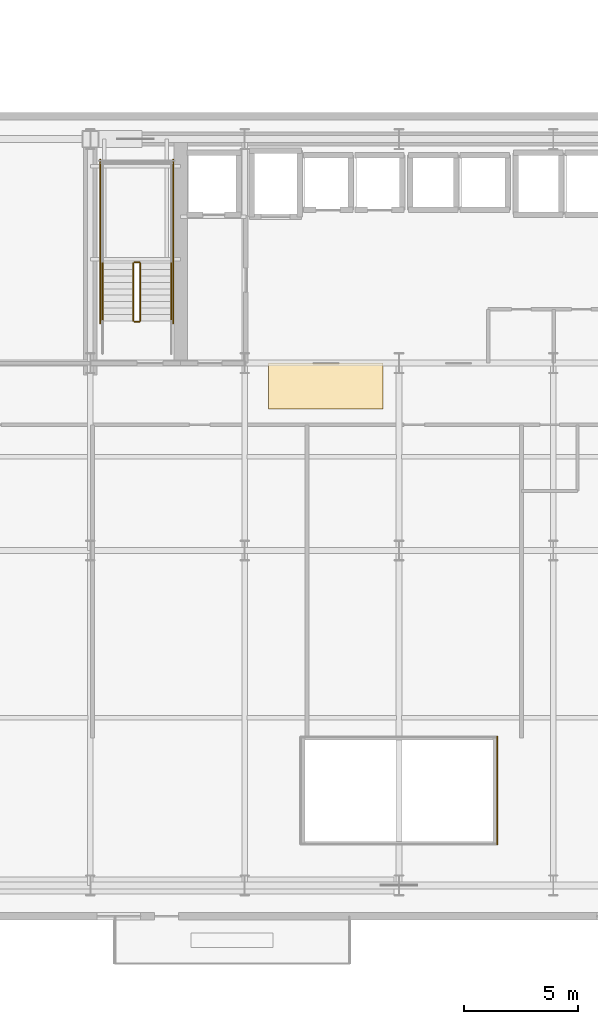
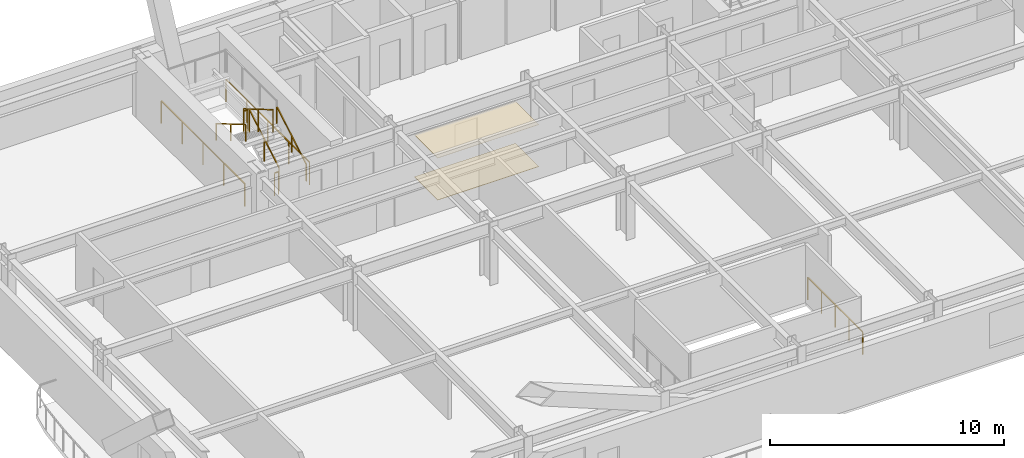
# One storey, part 12 of 17: 9 railings, 2 coverings.
"""IFC4 building model written with IfcOpenShell, lengths in metres."""

from ifc_helpers import new_model, si_unit, direction, frame, origin, origin_2d, place, context, subcontext, project, spatial, polyline, rectangle, outline, extrude, material, layer, layer_set, type_object, element, save


model = new_model("IFC4")

# Units and contexts
model_context = context("Model", 3, precision=1e-05, world=origin(), true_north=direction((0.0, 1.0)))
body_context = subcontext(model_context, "Body", "Model", "MODEL_VIEW")
ifc_project = project(units=[si_unit("LENGTHUNIT", "METRE"), si_unit("AREAUNIT", "SQUARE_METRE"), si_unit("VOLUMEUNIT", "CUBIC_METRE"), si_unit("PLANEANGLEUNIT", "RADIAN"), si_unit("MASSUNIT", "GRAM", prefix="KILO")], contexts=[model_context])

# Site, building, storey
site_placement = place(None, origin())
site = spatial("IfcSite", under=ifc_project, at=site_placement, CompositionType="ELEMENT")
building_placement = place(site_placement, origin())
building = spatial("IfcBuilding", under=site, at=building_placement, Name="Haevon Station Towers", CompositionType="ELEMENT")
storey_placement = place(building_placement, frame((0.0, 0.0, 40.5)))
storey = spatial("IfcBuildingStorey", under=building, at=storey_placement, Name="L09", CompositionType="ELEMENT", Elevation=40.5)

# Railing
ifc_material_1 = material(Name="Steel S355", Category="steel")
railing_type_1 = type_object("IfcRailingType", Name="BAL-ATR1200", PredefinedType="BALUSTRADE", material=ifc_material_1)
railing_1_placement = place(storey_placement, frame((41.80517578125, 17.142333984375, 0.0)))
element("IfcRailing", 1, at=railing_1_placement, inside=storey, type_object=railing_type_1, Name="L09 Atrium Void Balustrade 2", PredefinedType="BALUSTRADE", context=body_context, shape_type="SweptSolid", body=[
    extrude(rectangle(XDim=0.048095703125, YDim=0.048095703125, at=origin_2d()), frame((0.0, 0.0, 1.17578125), z_axis=(0.0, 1.0, 0.0), x_axis=(-1.0, 0.0, 0.0)), (0.0, 0.0, 1.0), 4.71533203125),
    extrude(rectangle(XDim=0.0419921875, YDim=0.0419921875, at=origin_2d()), origin(), (0.0, 0.0, 1.0), 1.15185546875),
    extrude(rectangle(XDim=0.0419921875, YDim=0.0419921875, at=origin_2d()), frame((0.0, 1.1787109375, 0.0)), (0.0, 0.0, 1.0), 1.15185546875),
    extrude(rectangle(XDim=0.0419921875, YDim=0.0419921875, at=origin_2d()), frame((0.0, 2.357666015625, 0.0)), (0.0, 0.0, 1.0), 1.15185546875),
    extrude(rectangle(XDim=0.0419921875, YDim=0.0419921875, at=origin_2d()), frame((0.0, 3.53662109375, 0.0)), (0.0, 0.0, 1.0), 1.15185546875),
    extrude(rectangle(XDim=0.0419921875, YDim=0.0419921875, at=origin_2d()), frame((0.0, 4.71533203125, 0.0)), (0.0, 0.0, 1.0), 1.15185546875),
])

# Coverings
ifc_material_2 = material(Name="Gypsum acoustic ceiling tile", Category="concrete")
ifc_layer_1 = layer(ifc_material_2, 0.014892578125)
ifc_layer_set_1 = layer_set([ifc_layer_1], Name="Gypsum acoustic ceiling tile")
covering_type_1 = type_object("IfcCoveringType", Name="COV-CEIL15", PredefinedType="CEILING", material=ifc_layer_set_1)
covering_1_placement = place(storey_placement, frame((0.0, 0.0, 2.199951171875)))
element("IfcCovering", 2, at=covering_1_placement, inside=storey, type_object=covering_type_1, Name="L09 Acoustic Corridor Ceiling", PredefinedType="CEILING", context=body_context, shape_type="SweptSolid", body=[
    extrude(outline(polyline([(31.800048828125, 36.199951171875), (36.800048828125, 36.199951171875), (36.800048828125, 38.199951171875), (31.800048828125, 38.199951171875), (31.800048828125, 36.199951171875)])), origin(), (0.0, 0.0, 1.0), 0.01513671875),
])
ifc_material_3 = material(Name="Granite stone paving", Category="masonry")
ifc_layer_2 = layer(ifc_material_3, 0.02001953125)
ifc_layer_set_2 = layer_set([ifc_layer_2], Name="Granite stone paving")
covering_type_2 = type_object("IfcCoveringType", Name="COV-FLR20", PredefinedType="FLOORING", material=ifc_layer_set_2)
covering_2_placement = place(storey_placement, origin())
element("IfcCovering", 3, at=covering_2_placement, inside=storey, type_object=covering_type_2, Name="L09 Corridor Stone Flooring", PredefinedType="FLOORING", context=body_context, shape_type="SweptSolid", body=[
    extrude(outline(polyline([(31.800048828125, 36.199951171875), (36.800048828125, 36.199951171875), (36.800048828125, 38.199951171875), (31.800048828125, 38.199951171875), (31.800048828125, 36.199951171875)])), origin(), (0.0, 0.0, 1.0), 0.02001953125),
])

# Railings
railing_type_2 = type_object("IfcRailingType", Name="GRD-STR1200", PredefinedType="GUARDRAIL", material=ifc_material_1)
railing_2_placement = place(storey_placement, frame((26.179931640625, 40.050048828125, 0.1650390625)))
element("IfcRailing", 4, at=railing_2_placement, inside=storey, type_object=railing_type_2, Name="L09 ST1 Stair Guard 1", PredefinedType="GUARDRAIL", context=body_context, shape_type="SweptSolid", body=[
    extrude(rectangle(XDim=0.048095703125, YDim=0.048095703125, at=origin_2d()), frame((0.0, 0.0, 1.17578125), z_axis=(0.0, 0.861560626758, 0.507654692109), x_axis=(-1.0, 0.0, 0.0)), (0.0, 0.0, 1.0), 2.925048828125),
    extrude(rectangle(XDim=0.0419921875, YDim=0.0419921875, at=origin_2d()), origin(), (0.0, 0.0, 1.0), 1.15185546875),
    extrude(rectangle(XDim=0.0419921875, YDim=0.0419921875, at=origin_2d()), frame((0.0, 1.260009765625, 0.742431640625)), (0.0, 0.0, 1.0), 1.15185546875),
    extrude(rectangle(XDim=0.0419921875, YDim=0.0419921875, at=origin_2d()), frame((0.0, 2.52001953125, 1.48486328125)), (0.0, 0.0, 1.0), 1.15185546875),
])
railing_3_placement = place(storey_placement, frame((26.1298828125, 42.6201171875, 1.64990234375)))
element("IfcRailing", 5, at=railing_3_placement, inside=storey, type_object=railing_type_2, Name="L09 ST1 Stair Guard 2", PredefinedType="GUARDRAIL", context=body_context, shape_type="SweptSolid", body=[
    extrude(rectangle(XDim=0.048095703125, YDim=0.048095703125, at=origin_2d()), frame((0.0, 0.0, 1.17578125), z_axis=(-1.0, 0.0, 0.0), x_axis=(0.0, -1.0, 0.0)), (0.0, 0.0, 1.0), 0.199951171875),
    extrude(rectangle(XDim=0.0419921875, YDim=0.0419921875, at=origin_2d()), origin(), (0.0, 0.0, 1.0), 1.15185546875),
    extrude(rectangle(XDim=0.0419921875, YDim=0.0419921875, at=origin_2d()), frame((-0.199951171875, 0.0, 0.0)), (0.0, 0.0, 1.0), 1.15185546875),
])
railing_4_placement = place(storey_placement, frame((25.8798828125, 42.570068359375, 1.81494140625)))
element("IfcRailing", 6, at=railing_4_placement, inside=storey, type_object=railing_type_2, Name="L09 ST1 Stair Guard 6", PredefinedType="GUARDRAIL", context=body_context, shape_type="SweptSolid", body=[
    extrude(rectangle(XDim=0.048095703125, YDim=0.048095703125, at=origin_2d()), frame((0.0, 0.0, 1.17578125), z_axis=(0.0, -0.86152411907, 0.507716645641), x_axis=(1.0, 0.0, 0.0)), (0.0, 0.0, 1.0), 2.925048828125),
    extrude(rectangle(XDim=0.0419921875, YDim=0.0419921875, at=origin_2d()), origin(), (0.0, 0.0, 1.0), 1.15185546875),
    extrude(rectangle(XDim=0.0419921875, YDim=0.0419921875, at=origin_2d()), frame((0.0, -1.260009765625, 0.74267578125)), (0.0, 0.0, 1.0), 1.15185546875),
    extrude(rectangle(XDim=0.0419921875, YDim=0.0419921875, at=origin_2d()), frame((0.0, -2.52001953125, 1.485107421875)), (0.0, 0.0, 1.0), 1.15185546875),
])
railing_5_placement = place(storey_placement, frame((26.1298828125, 40.0, 0.0)))
element("IfcRailing", 7, at=railing_5_placement, inside=storey, type_object=railing_type_2, Name="L09 ST1 Stair Guard 7", PredefinedType="GUARDRAIL", context=body_context, shape_type="SweptSolid", body=[
    extrude(rectangle(XDim=0.048095703125, YDim=0.048095703125, at=origin_2d()), frame((0.0, 0.0, 1.17578125), z_axis=(-1.0, 0.0, 0.0), x_axis=(0.0, -1.0, 0.0)), (0.0, 0.0, 1.0), 0.199951171875),
    extrude(rectangle(XDim=0.0419921875, YDim=0.0419921875, at=origin_2d()), origin(), (0.0, 0.0, 1.0), 1.15185546875),
    extrude(rectangle(XDim=0.0419921875, YDim=0.0419921875, at=origin_2d()), frame((-0.199951171875, 0.0, 0.0)), (0.0, 0.0, 1.0), 1.15185546875),
])
for number, where, name in (
    (8, (27.6298828125, 39.949951171875, 0.0), "L09 ST1 Stair Guard 10"),
    (9, (24.429931640625, 39.949951171875, 0.0), "L09 ST1 Stair Guard 11"),
):
    element("IfcRailing", number, at=place(storey_placement, frame(where)), inside=storey, type_object=railing_type_2, Name=name, PredefinedType="GUARDRAIL", context=body_context, shape_type="SweptSolid", body=[
        extrude(rectangle(XDim=0.048095703125, YDim=0.048095703125, at=origin_2d()), frame((0.0, 0.0, 1.17578125), z_axis=(0.0, 1.0, 0.0), x_axis=(-1.0, 0.0, 0.0)), (0.0, 0.0, 1.0), 7.150146484375),
        extrude(rectangle(XDim=0.0419921875, YDim=0.0419921875, at=origin_2d()), origin(), (0.0, 0.0, 1.0), 1.15185546875),
        extrude(rectangle(XDim=0.0419921875, YDim=0.0419921875, at=origin_2d()), frame((0.0, 1.78759765625, 0.0)), (0.0, 0.0, 1.0), 1.15185546875),
        extrude(rectangle(XDim=0.0419921875, YDim=0.0419921875, at=origin_2d()), frame((0.0, 3.5751953125, 0.0)), (0.0, 0.0, 1.0), 1.15185546875),
        extrude(rectangle(XDim=0.0419921875, YDim=0.0419921875, at=origin_2d()), frame((0.0, 5.362548828125, 0.0)), (0.0, 0.0, 1.0), 1.15185546875),
        extrude(rectangle(XDim=0.0419921875, YDim=0.0419921875, at=origin_2d()), frame((0.0, 7.150146484375, 0.0)), (0.0, 0.0, 1.0), 1.15185546875),
    ])
railing_type_3 = type_object("IfcRailingType", Name="HND-STR900", PredefinedType="HANDRAIL", material=ifc_material_1)
railing_6_placement = place(storey_placement, frame((27.530029296875, 40.050048828125, 0.1650390625)))
element("IfcRailing", 10, at=railing_6_placement, inside=storey, type_object=railing_type_3, Name="L09 ST1 Stair Handrail 1", PredefinedType="HANDRAIL", context=body_context, shape_type="SweptSolid", body=[
    extrude(rectangle(XDim=0.048095703125, YDim=0.048095703125, at=origin_2d()), frame((0.0, 0.0, 0.8759765625), z_axis=(0.0, 0.861560626758, 0.507654692109), x_axis=(-1.0, 0.0, 0.0)), (0.0, 0.0, 1.0), 2.925048828125),
    extrude(rectangle(XDim=0.0419921875, YDim=0.0419921875, at=origin_2d()), origin(), (0.0, 0.0, 1.0), 0.851806640625),
    extrude(rectangle(XDim=0.0419921875, YDim=0.0419921875, at=origin_2d()), frame((0.0, 1.260009765625, 0.742431640625)), (0.0, 0.0, 1.0), 0.851806640625),
    extrude(rectangle(XDim=0.0419921875, YDim=0.0419921875, at=origin_2d()), frame((0.0, 2.52001953125, 1.48486328125)), (0.0, 0.0, 1.0), 0.851806640625),
])
railing_7_placement = place(storey_placement, frame((24.530029296875, 42.570068359375, 1.81494140625)))
element("IfcRailing", 11, at=railing_7_placement, inside=storey, type_object=railing_type_3, Name="L09 ST1 Stair Handrail 2", PredefinedType="HANDRAIL", context=body_context, shape_type="SweptSolid", body=[
    extrude(rectangle(XDim=0.048095703125, YDim=0.048095703125, at=origin_2d()), frame((0.0, 0.0, 0.8759765625), z_axis=(0.0, -0.86152411907, 0.507716645641), x_axis=(1.0, 0.0, 0.0)), (0.0, 0.0, 1.0), 2.925048828125),
    extrude(rectangle(XDim=0.0419921875, YDim=0.0419921875, at=origin_2d()), origin(), (0.0, 0.0, 1.0), 0.851806640625),
    extrude(rectangle(XDim=0.0419921875, YDim=0.0419921875, at=origin_2d()), frame((0.0, -1.260009765625, 0.74267578125)), (0.0, 0.0, 1.0), 0.851806640625),
    extrude(rectangle(XDim=0.0419921875, YDim=0.0419921875, at=origin_2d()), frame((0.0, -2.52001953125, 1.485107421875)), (0.0, 0.0, 1.0), 0.851806640625),
])

save(model, "model.ifc")
